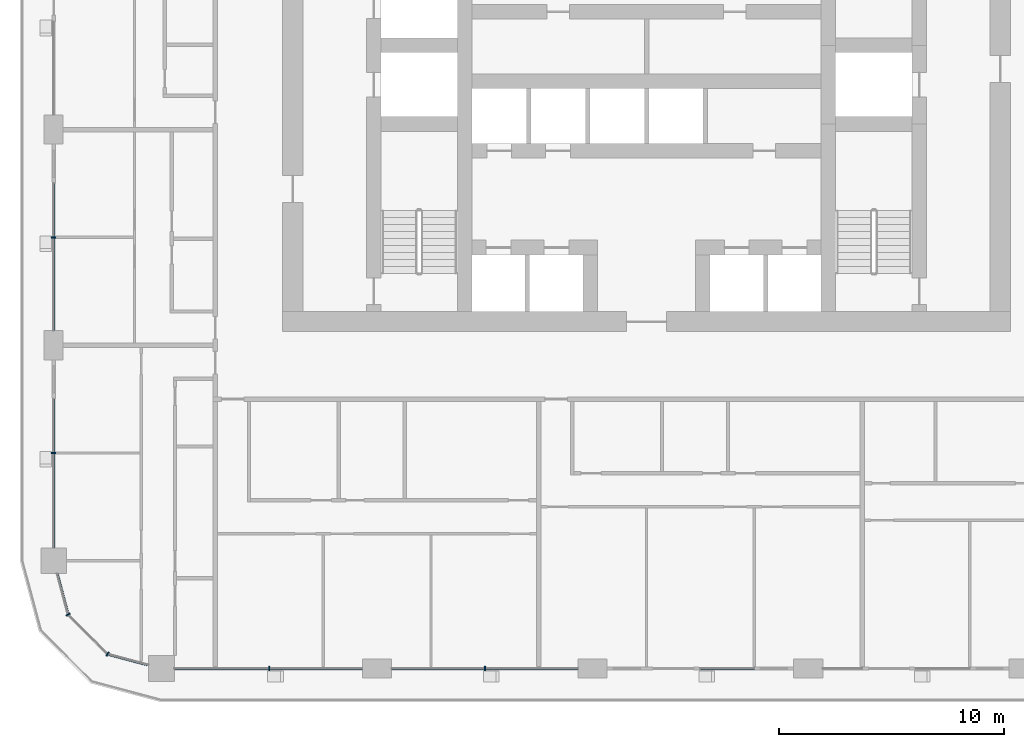
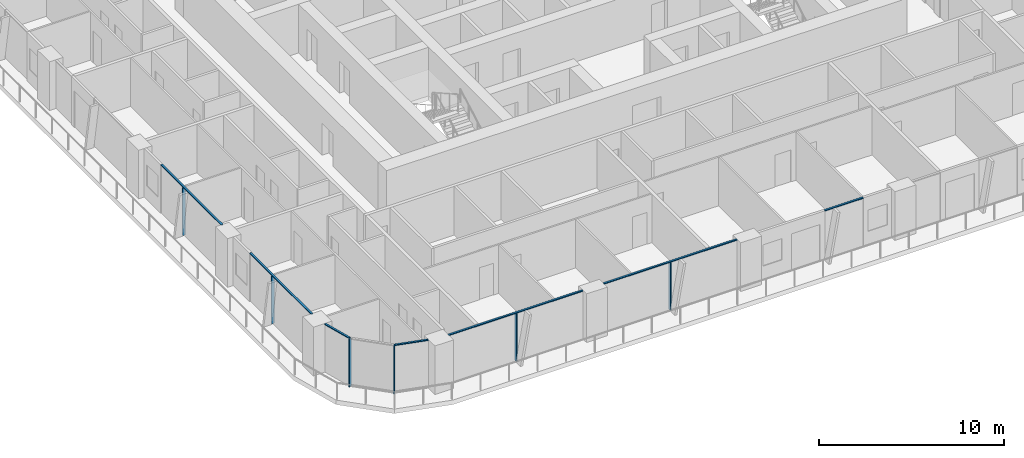
# One storey, part 2 of 22: 13 members, 6 elements without a shape of their own.
"""IFC4 building model written with IfcOpenShell, lengths in metres."""

import ifcopenshell
import ifcopenshell.guid

model = None  # the IFC model being written
_history = None  # IfcOwnerHistory: only IFC2X3 demands one
_inside = {}  # id of a spatial element -> (the spatial element, [elements in it])
_under = {}  # id of a project, library or spatial element -> (it, [spatial elements below it])
_declared = {}  # id of a project -> (the project, [libraries it declares])
_typed = {}  # id of a type object -> (the type object, [elements of that type])
_made_of = {}  # id of a material, layer set ... -> (it, [elements and type objects made of it])


def new_model(schema):
    """Start an empty IFC model of exactly this schema.

    Asked for "IFC4X3", IfcOpenShell would pick the latest addendum, in which some entities
    have other attributes; the version numbers below select the first issue.
    IFC2X3 requires an IfcOwnerHistory on every rooted entity: one is made here for all.
    """
    global model, _history
    if schema == "IFC4X3":
        model = ifcopenshell.file(schema_version=(4, 3, 0, 0))
    else:
        model = ifcopenshell.file(schema=schema)
    _inside.clear()
    _under.clear()
    _declared.clear()
    _typed.clear()
    _made_of.clear()
    _history = None
    if model.schema == "IFC2X3":
        org = make("IfcOrganization", Name="unknown")
        user = make(
            "IfcPersonAndOrganization",
            ThePerson=make("IfcPerson", FamilyName="unknown"),
            TheOrganization=org,
        )
        app = make(
            "IfcApplication",
            ApplicationDeveloper=org,
            Version="unknown",
            ApplicationFullName="unknown",
            ApplicationIdentifier="unknown",
        )
        _history = make(
            "IfcOwnerHistory",
            OwningUser=user,
            OwningApplication=app,
            ChangeAction="ADDED",
            CreationDate=0,
        )
    return model


def make(cls, **values):
    """One entity of the class cls with the attributes given. An attribute that is None is left unset."""
    return model.create_entity(
        cls, **{name: value for name, value in values.items() if value is not None}
    )


def rooted(cls, **values):
    """An entity with a GlobalId (a new one), such as an element, a storey or a relation."""
    return make(cls, GlobalId=ifcopenshell.guid.new(), OwnerHistory=_history, **values)


def si_unit(unit_type, name, prefix=None):
    """IfcSIUnit, for example si_unit("LENGTHUNIT", "METRE", prefix="MILLI")."""
    return make("IfcSIUnit", UnitType=unit_type, Prefix=prefix, Name=name)


def assignment(units):
    """IfcUnitAssignment: the units of a project."""
    return None if units is None else make("IfcUnitAssignment", Units=units)


def point(xyz):
    """IfcCartesianPoint."""
    return None if xyz is None else make("IfcCartesianPoint", Coordinates=xyz)


def direction(xyz):
    """IfcDirection."""
    return None if xyz is None else make("IfcDirection", DirectionRatios=xyz)


def frame(location, z_axis=None, x_axis=None):
    """IfcAxis2Placement3D, a coordinate frame: its origin and axes. An axis left out is left unset."""
    return make(
        "IfcAxis2Placement3D",
        Location=point(location),
        Axis=direction(z_axis),
        RefDirection=direction(x_axis),
    )


def frame_2d(location, x_axis=None):
    """IfcAxis2Placement2D, a coordinate frame in the plane: its origin and x axis."""
    return make(
        "IfcAxis2Placement2D", Location=point(location), RefDirection=direction(x_axis)
    )


def origin():
    """The frame at (0, 0, 0) with its axes left unset."""
    return frame((0.0, 0.0, 0.0))


def origin_2d():
    """The frame at (0, 0) in the plane with its x axis left unset."""
    return frame_2d((0.0, 0.0))


def place(relative_to, where):
    """IfcLocalPlacement: puts the frame where relative to a parent placement (None: the world)."""
    return make(
        "IfcLocalPlacement", PlacementRelTo=relative_to, RelativePlacement=where
    )


def context(
    kind, dimensions, precision=None, world=None, true_north=None, identifier=None
):
    """IfcGeometricRepresentationContext, for example the 3D "Model" context."""
    return make(
        "IfcGeometricRepresentationContext",
        ContextIdentifier=identifier,
        ContextType=kind,
        CoordinateSpaceDimension=dimensions,
        Precision=precision,
        WorldCoordinateSystem=world,
        TrueNorth=true_north,
    )


def subcontext(parent, identifier, kind, view, scale=None):
    """IfcGeometricRepresentationSubContext, for example "Body" below "Model"."""
    return make(
        "IfcGeometricRepresentationSubContext",
        ContextIdentifier=identifier,
        ContextType=kind,
        ParentContext=parent,
        TargetScale=scale,
        TargetView=view,
    )


def project(units=None, contexts=None):
    """IfcProject with its units and contexts."""
    return rooted(
        "IfcProject",
        Name="project",
        RepresentationContexts=contexts,
        UnitsInContext=assignment(units),
    )


def spatial(cls, under=None, at=None, **own):
    """A site, building, storey or space (cls), placed at a placement, below another one or the project."""
    s = rooted(cls, ObjectPlacement=at, **own)
    if under is not None:
        _under.setdefault(under.id(), (under, []))[1].append(s)
    return s


def profile(cls, at=None, kind="AREA", **sizes):
    """A parametric profile (cls). Its sizes go by their IFC names, for example OverallWidth=200.0."""
    return make(cls, ProfileType=kind, Position=at, **sizes)


def rectangle(**sizes):
    """IfcRectangleProfileDef."""
    return profile("IfcRectangleProfileDef", **sizes)


def extrude(swept, where, along, depth):
    """IfcExtrudedAreaSolid: the profile swept, set in the frame where, extruded along a direction by depth."""
    return make(
        "IfcExtrudedAreaSolid",
        SweptArea=swept,
        Position=where,
        ExtrudedDirection=direction(along),
        Depth=depth,
    )


def shape(context_of_items, identifier, shape_type, items):
    """IfcShapeRepresentation: the items that make up one representation, for example the "Body"."""
    return make(
        "IfcShapeRepresentation",
        ContextOfItems=context_of_items,
        RepresentationIdentifier=identifier,
        RepresentationType=shape_type,
        Items=items,
    )


def material(Name=None, Category=None):
    """IfcMaterial."""
    return make("IfcMaterial", Name=Name, Category=Category)


def layer(
    of_material, thickness, ventilated=None, Name=None, Category=None, Priority=None
):
    """IfcMaterialLayer: one layer of a wall or slab, of a material (None: an air gap)."""
    return make(
        "IfcMaterialLayer",
        Material=of_material,
        LayerThickness=thickness,
        IsVentilated=ventilated,
        Name=Name,
        Category=Category,
        Priority=Priority,
    )


def layer_set(layers, Name=None):
    """IfcMaterialLayerSet."""
    return make("IfcMaterialLayerSet", MaterialLayers=layers, LayerSetName=Name)


def material_profile(
    of_material, cross_section, Name=None, Category=None, Priority=None
):
    """IfcMaterialProfile: a cross section and its material."""
    return make(
        "IfcMaterialProfile",
        Name=Name,
        Material=of_material,
        Profile=cross_section,
        Priority=Priority,
        Category=Category,
    )


def profile_set(profiles, Name=None, composite=None):
    """IfcMaterialProfileSet."""
    return make(
        "IfcMaterialProfileSet",
        Name=Name,
        MaterialProfiles=profiles,
        CompositeProfile=composite,
    )


def made_of(thing, what):
    """Note that an element or type object is made of a material, layer set ...; save() writes the relation."""
    if what is not None:
        _made_of.setdefault(what.id(), (what, []))[1].append(thing)
    return thing


def type_object(cls, material=None, **own):
    """A type object (cls), such as IfcWallType, which elements share."""
    return made_of(rooted(cls, **own), material)


def element(
    cls,
    number,
    at=None,
    inside=None,
    cuts=None,
    type_object=None,
    material=None,
    context=None,
    identifier="Body",
    shape_type=None,
    held_by="IfcProductDefinitionShape",
    body=None,
    shapes=None,
    **own,
):
    """One element of the class cls, such as IfcWall. Its Tag is "e" and its number.

    at: its placement. inside: the storey or other place that contains it. cuts: it is an
    opening in that element (IfcRelVoidsElement). A single representation is given by context,
    identifier, shape_type and body (its items); several are given by shapes. held_by: the class
    of the entity that holds the representations. save() writes the other relations.
    """
    e = rooted(cls, Tag="e%d" % number, ObjectPlacement=at, **own)
    if body is not None:
        shapes = [shape(context, identifier, shape_type, body)]
    if shapes is not None:
        e.Representation = make(held_by, Representations=shapes)
    if inside is not None:
        _inside.setdefault(inside.id(), (inside, []))[1].append(e)
    if cuts is not None:
        rooted(
            "IfcRelVoidsElement", RelatingBuildingElement=cuts, RelatedOpeningElement=e
        )
    if type_object is not None:
        _typed.setdefault(type_object.id(), (type_object, []))[1].append(e)
    return made_of(e, material)


def aggregate(whole, parts):
    """IfcRelAggregates: a whole, such as a stair, and the parts it consists of."""
    return rooted("IfcRelAggregates", RelatingObject=whole, RelatedObjects=parts)


def save(model, path):
    """Write the relations noted so far, then the file.

    IfcRelAggregates (storeys below a building ...), IfcRelContainedInSpatialStructure (elements
    in a storey), IfcRelDefinesByType, IfcRelAssociatesMaterial and IfcRelDeclares: one each for
    every whole, place, type object, material and project.
    """
    for whole, parts in _under.values():
        aggregate(whole, parts)
    for where, things in _inside.values():
        rooted(
            "IfcRelContainedInSpatialStructure",
            RelatedElements=things,
            RelatingStructure=where,
        )
    for kind, things in _typed.values():
        rooted("IfcRelDefinesByType", RelatedObjects=things, RelatingType=kind)
    for what, things in _made_of.values():
        rooted("IfcRelAssociatesMaterial", RelatedObjects=things, RelatingMaterial=what)
    for by, libraries in _declared.values():
        rooted("IfcRelDeclares", RelatingContext=by, RelatedDefinitions=libraries)
    model.write(path)


model = new_model("IFC4")

# Units and contexts
model_context = context("Model", 3, precision=1e-05, world=origin(), true_north=direction((0.0, 1.0)))
body_context = subcontext(model_context, "Body", "Model", "MODEL_VIEW")
ifc_project = project(units=[si_unit("LENGTHUNIT", "METRE"), si_unit("AREAUNIT", "SQUARE_METRE"), si_unit("VOLUMEUNIT", "CUBIC_METRE"), si_unit("PLANEANGLEUNIT", "RADIAN"), si_unit("MASSUNIT", "GRAM", prefix="KILO")], contexts=[model_context])

# Site, building, storey
site_placement = place(None, origin())
site = spatial("IfcSite", under=ifc_project, at=site_placement, CompositionType="ELEMENT")
building_placement = place(site_placement, origin())
building = spatial("IfcBuilding", under=site, at=building_placement, Name="Madar Terraces", CompositionType="ELEMENT")
storey_placement = place(building_placement, frame((0.0, 0.0, 62.800048828125)))
storey = spatial("IfcBuildingStorey", under=building, at=storey_placement, Name="L15", CompositionType="ELEMENT", Elevation=62.800048828125)

# Curtain wall, member
ifc_material_1 = material(Name="Glass, ceramic frit dark grey, with black aluminium frame", Category="aluminium")
ifc_layer = layer(ifc_material_1, 0.199951171875)
ifc_layer_set = layer_set([ifc_layer], Name="Facade curtain wall, fritted glass")
curtain_wall_type = type_object("IfcCurtainWallType", Name="Facade curtain wall, fritted glass", PredefinedType="NOTDEFINED", material=ifc_layer_set)
curtain_wall_1_placement = place(storey_placement, origin())
curtain_wall_1 = element("IfcCurtainWall", 1, at=curtain_wall_1_placement, inside=storey, type_object=curtain_wall_type, Name="Outer skin curtain wall south bay 1", PredefinedType="NOTDEFINED")
ifc_material_2 = material(Name="Aluminium, black anodised", Category="aluminium")
ifc_material_profile_1 = material_profile(ifc_material_2, rectangle(XDim=0.199951171875, YDim=0.06005859375, at=origin_2d()), Name="Facade mullion 60x200")
ifc_profile_set_1 = profile_set([ifc_material_profile_1], Name="Aluminium, black anodised")
member_type_1 = type_object("IfcMemberType", Name="Facade mullion 60x200", PredefinedType="MULLION", material=ifc_profile_set_1)
member_1_placement = place(storey_placement, frame((14.39990234375, 0.0, 0.0), z_axis=(0.0, 0.0, 1.0), x_axis=(0.0, 1.0, 0.0)))
member_1 = element("IfcMember", 2, at=member_1_placement, type_object=member_type_1, Name="Mullion 1", PredefinedType="MULLION", context=body_context, shape_type="SweptSolid", body=[
    extrude(rectangle(XDim=0.199951171875, YDim=0.06005859375, at=origin_2d()), origin(), (0.0, 0.0, 1.0), 3.139892578125),
])

curtain_wall_2_placement = place(storey_placement, origin())
curtain_wall_2 = element("IfcCurtainWall", 3, at=curtain_wall_2_placement, inside=storey, type_object=curtain_wall_type, Name="Outer skin curtain wall south bay 2", PredefinedType="NOTDEFINED")
member_2_placement = place(storey_placement, frame((24.0, 0.0, 0.0), z_axis=(0.0, 0.0, 1.0), x_axis=(0.0, 1.0, 0.0)))
member_2 = element("IfcMember", 4, at=member_2_placement, type_object=member_type_1, Name="Mullion 1", PredefinedType="MULLION", context=body_context, shape_type="SweptSolid", body=[
    extrude(rectangle(XDim=0.199951171875, YDim=0.06005859375, at=origin_2d()), origin(), (0.0, 0.0, 1.0), 3.139892578125),
])

curtain_wall_3_placement = place(storey_placement, origin())
curtain_wall_3 = element("IfcCurtainWall", 5, at=curtain_wall_3_placement, inside=storey, type_object=curtain_wall_type, Name="Outer skin curtain wall west bay 3", PredefinedType="NOTDEFINED")
member_3_placement = place(storey_placement, frame((4.800048828125, 19.199951171875, 0.0), z_axis=(0.0, 0.0, 1.0), x_axis=(1.0, 0.0, 0.0)))
member_3 = element("IfcMember", 6, at=member_3_placement, type_object=member_type_1, Name="Mullion 1", PredefinedType="MULLION", context=body_context, shape_type="SweptSolid", body=[
    extrude(rectangle(XDim=0.199951171875, YDim=0.06005859375, at=origin_2d()), origin(), (0.0, 0.0, 1.0), 3.139892578125),
])

curtain_wall_4_placement = place(storey_placement, origin())
curtain_wall_4 = element("IfcCurtainWall", 7, at=curtain_wall_4_placement, inside=storey, type_object=curtain_wall_type, Name="Outer skin curtain wall west bay 4", PredefinedType="NOTDEFINED")
member_4_placement = place(storey_placement, frame((4.800048828125, 9.60009765625, 0.0), z_axis=(0.0, 0.0, 1.0), x_axis=(1.0, 0.0, 0.0)))
member_4 = element("IfcMember", 8, at=member_4_placement, type_object=member_type_1, Name="Mullion 1", PredefinedType="MULLION", context=body_context, shape_type="SweptSolid", body=[
    extrude(rectangle(XDim=0.199951171875, YDim=0.06005859375, at=origin_2d()), origin(), (0.0, 0.0, 1.0), 3.139892578125),
])

# Curtain wall, members
curtain_wall_5_placement = place(storey_placement, origin())
curtain_wall_5 = element("IfcCurtainWall", 9, at=curtain_wall_5_placement, inside=storey, type_object=curtain_wall_type, Name="Outer skin curtain wall south-west corner", PredefinedType="NOTDEFINED")
member_5_placement = place(storey_placement, frame((5.443115234375, 2.39990234375, 0.0), z_axis=(0.0, 0.0, 1.0), x_axis=(0.866025409797, 0.499999989586, 0.0)))
member_5 = element("IfcMember", 10, at=member_5_placement, type_object=member_type_1, Name="Mullion 1", PredefinedType="MULLION", context=body_context, shape_type="SweptSolid", body=[
    extrude(rectangle(XDim=0.199951171875, YDim=0.06005859375, at=origin_2d()), origin(), (0.0, 0.0, 1.0), 3.139892578125),
])
member_6_placement = place(storey_placement, frame((7.199951171875, 0.64306640625, 0.0), z_axis=(0.0, 0.0, 1.0), x_axis=(0.499999989586, 0.866025409797, 0.0)))
member_6 = element("IfcMember", 11, at=member_6_placement, type_object=member_type_1, Name="Mullion 2", PredefinedType="MULLION", context=body_context, shape_type="SweptSolid", body=[
    extrude(rectangle(XDim=0.199951171875, YDim=0.06005859375, at=origin_2d()), origin(), (0.0, 0.0, 1.0), 3.139892578125),
])

# Member
ifc_material_3 = material(Name="Aluminium, black anodised", Category="aluminium")
ifc_material_profile_2 = material_profile(ifc_material_3, rectangle(XDim=0.1201171875, YDim=0.06005859375, at=origin_2d()), Name="Facade transom 60x120")
ifc_profile_set_2 = profile_set([ifc_material_profile_2], Name="Aluminium, black anodised")
member_type_2 = type_object("IfcMemberType", Name="Facade transom 60x120", PredefinedType="USERDEFINED", material=ifc_profile_set_2)
member_7_placement = place(storey_placement, frame((10.175048828125, 0.0, 3.169921875), z_axis=(1.0, 0.0, 0.0), x_axis=(0.0, 1.0, 0.0)))
member_7 = element("IfcMember", 12, at=member_7_placement, type_object=member_type_2, Name="Transom 1", ObjectType="TRANSOM", PredefinedType="USERDEFINED", context=body_context, shape_type="SweptSolid", body=[
    extrude(rectangle(XDim=0.1201171875, YDim=0.06005859375, at=origin_2d()), origin(), (0.0, 0.0, 1.0), 8.375),
])

aggregate(curtain_wall_1, [member_1, member_7])

member_8_placement = place(storey_placement, frame((19.85009765625, 0.0, 3.169921875), z_axis=(1.0, 0.0, 0.0), x_axis=(0.0, 1.0, 0.0)))
member_8 = element("IfcMember", 13, at=member_8_placement, type_object=member_type_2, Name="Transom 1", ObjectType="TRANSOM", PredefinedType="USERDEFINED", context=body_context, shape_type="SweptSolid", body=[
    extrude(rectangle(XDim=0.1201171875, YDim=0.06005859375, at=origin_2d()), origin(), (0.0, 0.0, 1.0), 8.2998046875),
])

aggregate(curtain_wall_2, [member_2, member_8])

# Curtain wall, member
curtain_wall_6_placement = place(storey_placement, origin())
curtain_wall_6 = element("IfcCurtainWall", 14, at=curtain_wall_6_placement, inside=storey, type_object=curtain_wall_type, Name="Outer skin curtain wall south bay 3", PredefinedType="NOTDEFINED")
member_9_placement = place(storey_placement, frame((33.60009765625, 0.0, 3.169921875), z_axis=(1.0, 0.0, 0.0), x_axis=(0.0, 1.0, 0.0)))
member_9 = element("IfcMember", 15, at=member_9_placement, type_object=member_type_2, Name="Transom 1", ObjectType="TRANSOM", PredefinedType="USERDEFINED", context=body_context, shape_type="SweptSolid", body=[
    extrude(rectangle(XDim=0.1201171875, YDim=0.06005859375, at=origin_2d()), origin(), (0.0, 0.0, 1.0), 2.39990234375),
])
aggregate(curtain_wall_6, [member_9])

# Member
member_10_placement = place(storey_placement, frame((4.800048828125, 21.60009765625, 3.169921875), z_axis=(0.0, -1.0, 0.0), x_axis=(1.0, 0.0, 0.0)))
member_10 = element("IfcMember", 16, at=member_10_placement, type_object=member_type_2, Name="Transom 1", ObjectType="TRANSOM", PredefinedType="USERDEFINED", context=body_context, shape_type="SweptSolid", body=[
    extrude(rectangle(XDim=0.1201171875, YDim=0.06005859375, at=origin_2d()), origin(), (0.0, 0.0, 1.0), 6.550048828125),
])

aggregate(curtain_wall_3, [member_3, member_10])

member_11_placement = place(storey_placement, frame((4.800048828125, 12.0, 3.169921875), z_axis=(0.0, -1.0, 0.0), x_axis=(1.0, 0.0, 0.0)))
member_11 = element("IfcMember", 17, at=member_11_placement, type_object=member_type_2, Name="Transom 1", ObjectType="TRANSOM", PredefinedType="USERDEFINED", context=body_context, shape_type="SweptSolid", body=[
    extrude(rectangle(XDim=0.1201171875, YDim=0.06005859375, at=origin_2d()), origin(), (0.0, 0.0, 1.0), 6.625),
])

aggregate(curtain_wall_4, [member_4, member_11])

member_12_placement = place(storey_placement, frame((4.9541015625, 4.22509765625, 3.169921875), z_axis=(0.258782024434, -0.965935745187, 0.0), x_axis=(0.965935745187, 0.258782024434, 0.0)))
member_12 = element("IfcMember", 18, at=member_12_placement, type_object=member_type_2, Name="Transom 1", ObjectType="TRANSOM", PredefinedType="USERDEFINED", context=body_context, shape_type="SweptSolid", body=[
    extrude(rectangle(XDim=0.1201171875, YDim=0.06005859375, at=origin_2d()), origin(), (0.0, 0.0, 1.0), 1.859375),
])

member_13_placement = place(storey_placement, frame((7.22900390625, 0.63525390625, 3.169921875), z_axis=(0.965926950947, -0.258814847786, 0.0), x_axis=(0.258814847786, 0.965926950947, 0.0)))
member_13 = element("IfcMember", 19, at=member_13_placement, type_object=member_type_2, Name="Transom 3", ObjectType="TRANSOM", PredefinedType="USERDEFINED", context=body_context, shape_type="SweptSolid", body=[
    extrude(rectangle(XDim=0.1201171875, YDim=0.06005859375, at=origin_2d()), origin(), (0.0, 0.0, 1.0), 1.859130859375),
])

aggregate(curtain_wall_5, [member_5, member_12, member_6, member_13])

save(model, "model.ifc")
